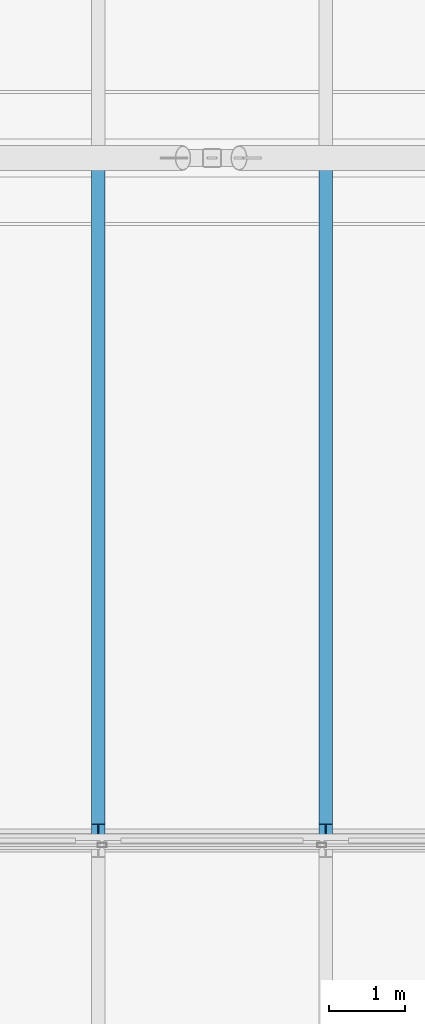
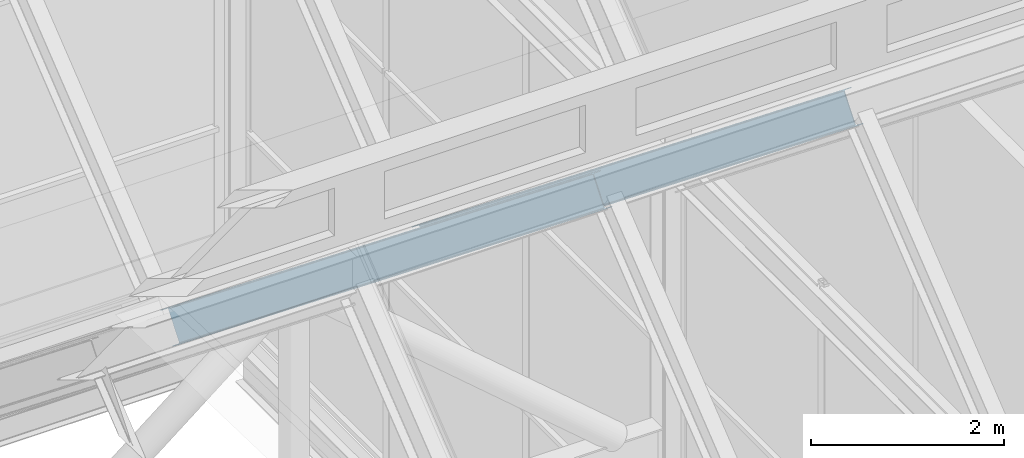
# One storey, part 64 of 144: 2 members.
"""IFC4 building model written with IfcOpenShell, lengths in metres."""

from ifc_helpers import new_model, si_unit, direction, frame, origin, origin_2d, place, context, subcontext, project, spatial, i_section, extrude, material, material_profile, profile_set, type_object, element, save


model = new_model("IFC4")

# Units and contexts
model_context = context("Model", 3, precision=1e-05, world=origin(), true_north=direction((0.0, 1.0)))
body_context = subcontext(model_context, "Body", "Model", "MODEL_VIEW")
ifc_project = project(units=[si_unit("LENGTHUNIT", "METRE"), si_unit("AREAUNIT", "SQUARE_METRE"), si_unit("VOLUMEUNIT", "CUBIC_METRE"), si_unit("PLANEANGLEUNIT", "RADIAN"), si_unit("MASSUNIT", "GRAM", prefix="KILO")], contexts=[model_context])

# Site, building, storey
site_placement = place(None, origin())
site = spatial("IfcSite", under=ifc_project, at=site_placement, CompositionType="ELEMENT")
building_placement = place(site_placement, origin())
building = spatial("IfcBuilding", under=site, at=building_placement, Name="Shorebreak Coast Museum", CompositionType="ELEMENT")
storey_placement = place(building_placement, frame((0.0, 0.0, 36.0)))
storey = spatial("IfcBuildingStorey", under=building, at=storey_placement, Name="L06", CompositionType="ELEMENT", Elevation=36.0)

# Members
ifc_material = material(Name="Steel Grade 300", Category="steel")
ifc_material_profile = material_profile(ifc_material, i_section(OverallWidth=0.177978515625, OverallDepth=0.402587890625, WebThickness=0.007568359375, FlangeThickness=0.010986328125, FilletRadius=0.011474609375, at=origin_2d()), Name="410UB53.7")
ifc_profile_set = profile_set([ifc_material_profile], Name="Steel Grade 300")
member_type = type_object("IfcMemberType", Name="Fold rafter 410UB53.7", PredefinedType="RAFTER", material=ifc_profile_set)
for number, where, z_axis, x_axis, name in (
    (1, (102.0, 63.094970703125, 14.610107421875), (0.0, 0.780866693621, -0.624697692322), (-1.0, 0.0, 0.0), "Fold rafter FOLD-X line 2 17"),
    (2, (105.0, 63.094970703125, 14.610107421875), (0.0, 0.780866693621, -0.624697692322), (-1.0, 0.0, 0.0), "Fold rafter FOLD-X line 2 18"),
):
    element("IfcMember", number, at=place(storey_placement, frame(where, z_axis=z_axis, x_axis=x_axis)), inside=storey, type_object=member_type, Name=name, PredefinedType="RAFTER", context=body_context, shape_type="SweptSolid", body=[
        extrude(i_section(OverallWidth=0.177978515625, OverallDepth=0.402587890625, WebThickness=0.007568359375, FlangeThickness=0.010986328125, FilletRadius=0.011474609375, at=origin_2d()), origin(), (0.0, 0.0, 1.0), 11.25732421875),
    ])

save(model, "model.ifc")
